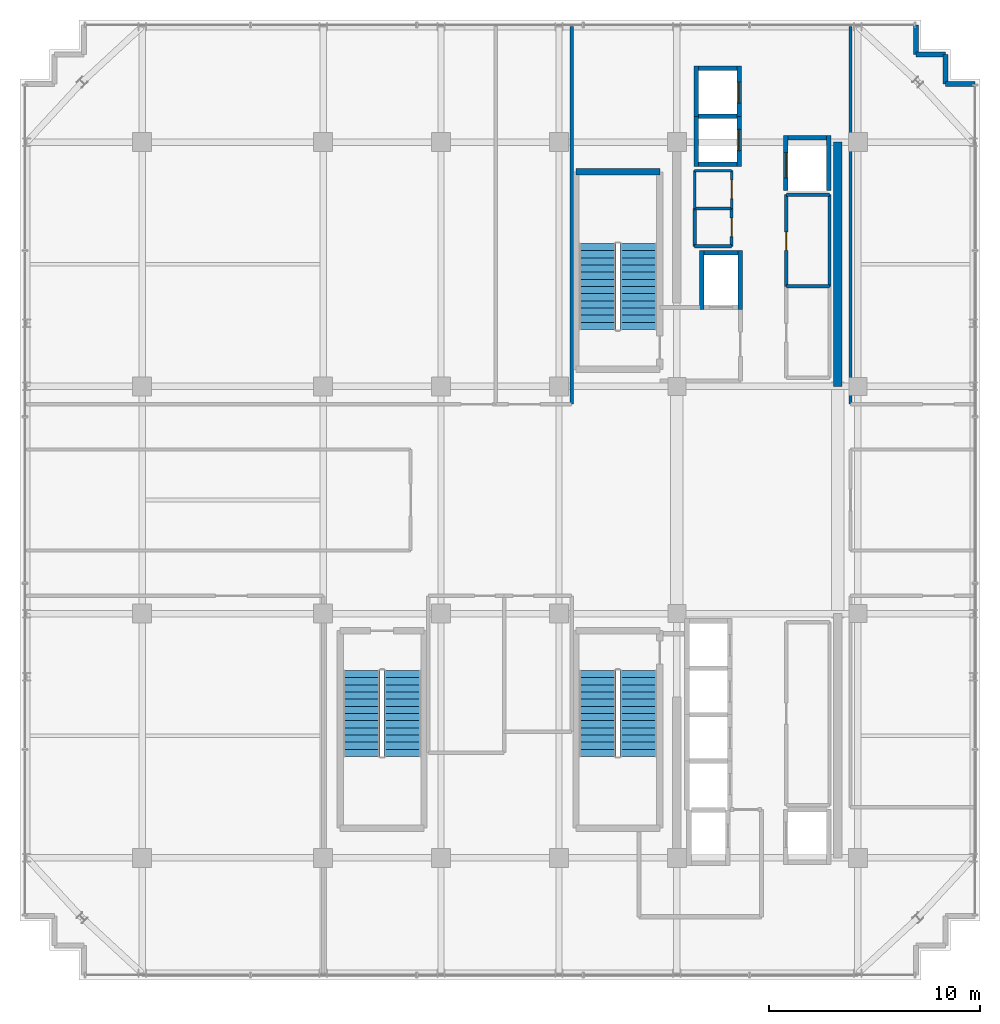
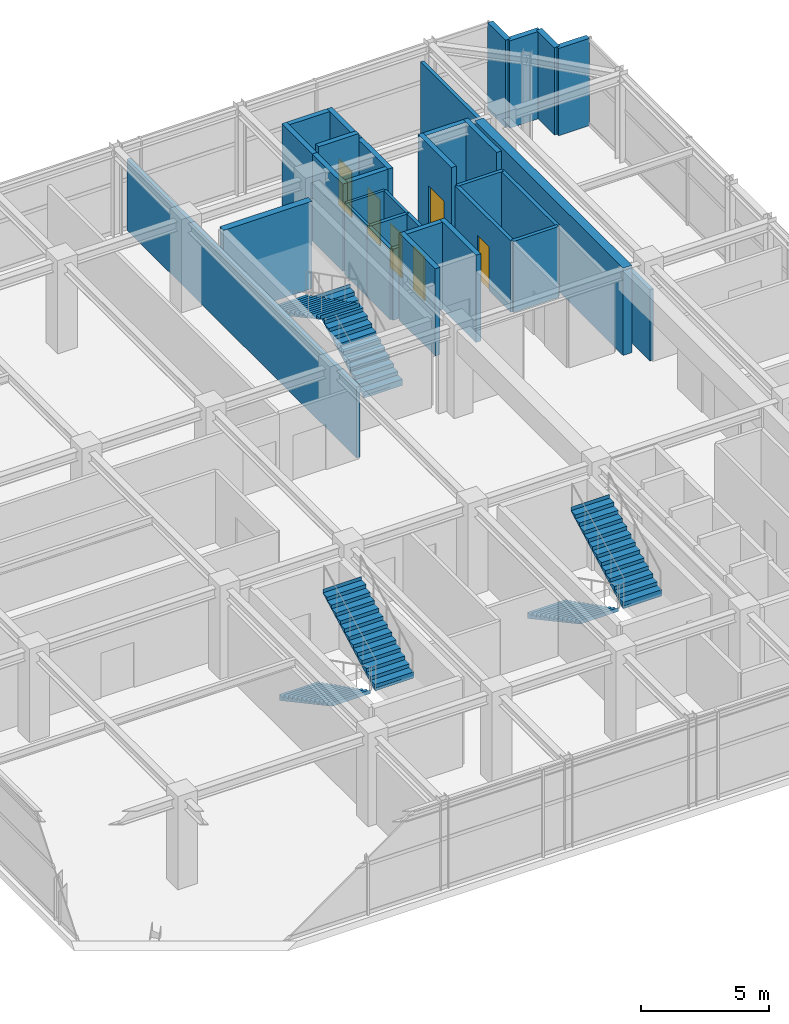
# One storey, part 19 of 20: 32 walls, 6 doors, 6 stair flights, 6 openings, 3 elements without a shape of their own.
"""IFC4 building model written with IfcOpenShell, lengths in metres."""

from ifc_helpers import new_model, si_unit, direction, frame, frame_2d, origin, place, context, subcontext, project, spatial, polyline, rectangle, outline, extrude, source, transform, mapped, material, layer, layer_set, type_object, element, fill, aggregate, save


model = new_model("IFC4")

# Units and contexts
model_context = context("Model", 3, precision=1e-05, world=origin(), true_north=direction((0.0, 1.0)))
body_context = subcontext(model_context, "Body", "Model", "MODEL_VIEW")
ifc_project = project(units=[si_unit("LENGTHUNIT", "METRE"), si_unit("AREAUNIT", "SQUARE_METRE"), si_unit("VOLUMEUNIT", "CUBIC_METRE"), si_unit("PLANEANGLEUNIT", "RADIAN"), si_unit("MASSUNIT", "GRAM", prefix="KILO")], contexts=[model_context])

# Site, building, storey
site_placement = place(None, origin())
site = spatial("IfcSite", under=ifc_project, at=site_placement, CompositionType="ELEMENT")
building_placement = place(site_placement, origin())
building = spatial("IfcBuilding", under=site, at=building_placement, Name="Nahalor Promenade Grand Hotel", CompositionType="ELEMENT")
storey_placement = place(building_placement, frame((0.0, 0.0, 347.550048828125)))
storey = spatial("IfcBuildingStorey", under=building, at=storey_placement, Name="L89", CompositionType="ELEMENT", Elevation=347.550048828125)

# Walls
ifc_material_1 = material(Name="Concrete B-50 (C40/50)", Category="concrete")
ifc_layer_1 = layer(ifc_material_1, 0.39990234375)
ifc_layer_set_1 = layer_set([ifc_layer_1], Name="Concrete B-50 (C40/50)")
wall_type_1 = type_object("IfcWallType", Name="Wall-CoreShear-400", PredefinedType="SHEAR", material=ifc_layer_set_1)
shared_shape_1 = source(origin(), body_context, "Body", "SweptSolid", [
    extrude(rectangle(XDim=11.60009765625, YDim=0.39990234375, at=frame_2d((5.800048828125, 0.0))), origin(), (0.0, 0.0, 1.0), 4.169921875),
])
wall_1_placement = place(storey_placement, frame((16.050048828125, 5.39990234375, 0.0), z_axis=(0.0, 0.0, 1.0), x_axis=(0.0, 1.0, 0.0)))
element("IfcWall", 1, at=wall_1_placement, inside=storey, type_object=wall_type_1, Name="CWALL-L89-NE", PredefinedType="SHEAR", context=body_context, shape_type="MappedRepresentation", body=[
    mapped(shared_shape_1, transform((0.0, 0.0, 0.0), scale=1.0)),
])
ifc_layer_2 = layer(ifc_material_1, 0.300048828125)
ifc_layer_set_2 = layer_set([ifc_layer_2], Name="Concrete B-50 (C40/50)")
wall_type_2 = type_object("IfcWallType", Name="Wall-ShaftShear-300", PredefinedType="SHEAR", material=ifc_layer_set_2)
shared_shape_2 = source(origin(), body_context, "Body", "SweptSolid", [
    extrude(rectangle(XDim=3.97998046875, YDim=0.300048828125, at=frame_2d((1.989990234375, 0.0))), origin(), (0.0, 0.0, 1.0), 4.169921875),
])
wall_2_placement = place(storey_placement, frame((3.610107421875, 15.590087890625, 0.0), z_axis=(0.0, 0.0, 1.0), x_axis=(1.0, 0.0, 0.0)))
element("IfcWall", 2, at=wall_2_placement, inside=storey, type_object=wall_type_2, Name="L89 Exit Stair ST1 Shaft Wall N", PredefinedType="SHEAR", context=body_context, shape_type="MappedRepresentation", body=[
    mapped(shared_shape_2, transform((0.0, 0.0, 0.0), scale=1.0)),
])
ifc_layer_3 = layer(ifc_material_1, 0.219970703125)
ifc_layer_set_3 = layer_set([ifc_layer_3], Name="Concrete B-50 (C40/50)")
wall_type_3 = type_object("IfcWallType", Name="Wall-LiftShaft-220", PredefinedType="SHEAR", material=ifc_layer_set_3)
shared_shape_3 = source(origin(), body_context, "Body", "SweptSolid", [
    extrude(rectangle(XDim=1.820068359375, YDim=0.219970703125, at=frame_2d((0.91015625, 0.0))), origin(), (0.0, 0.0, 1.0), 4.5),
])
wall_3_placement = place(storey_placement, frame((9.43994140625, 18.22509765625, 0.0), z_axis=(0.0, 0.0, 1.0), x_axis=(1.0, 0.0, 0.0)))
element("IfcWall", 3, at=wall_3_placement, inside=storey, type_object=wall_type_3, Name="L89 Lift OB1 Hoistway Wall N", PredefinedType="SHEAR", context=body_context, shape_type="MappedRepresentation", body=[
    mapped(shared_shape_3, transform((0.0, 0.0, 0.0), scale=1.0)),
])
shared_shape_4 = source(origin(), body_context, "Body", "SweptSolid", [
    extrude(rectangle(XDim=1.820068359375, YDim=0.219970703125, at=frame_2d((0.91015625, 0.0))), origin(), (0.0, 0.0, 1.0), 4.169921875),
])
for number, where, z_axis, x_axis, name in (
    (4, (9.43994140625, 15.949951171875, 0.0), (0.0, 0.0, 1.0), (1.0, 0.0, 0.0), "L89 Lift OB1 Hoistway Wall S"),
    (5, (9.43994140625, 20.5, 0.0), (0.0, 0.0, 1.0), (1.0, 0.0, 0.0), "L89 Lift OB2 Hoistway Wall N"),
    (6, (13.68994140625, 17.199951171875, 0.0), (0.0, 0.0, 1.0), (1.0, 0.0, 0.0), "L89 Lift SV1 Hoistway Wall N"),
):
    element("IfcWall", number, at=place(storey_placement, frame(where, z_axis=z_axis, x_axis=x_axis)), inside=storey, type_object=wall_type_3, Name=name, PredefinedType="SHEAR", context=body_context, shape_type="MappedRepresentation", body=[
        mapped(shared_shape_4, transform((0.0, 0.0, 0.0), scale=1.0)),
    ])
shared_shape_5 = source(origin(), body_context, "Body", "SweptSolid", [
    extrude(rectangle(XDim=2.385009765625, YDim=0.219970703125, at=frame_2d((1.1923828125, 0.0))), origin(), (0.0, 0.0, 1.0), 4.169921875),
])
wall_4_placement = place(storey_placement, frame((9.330078125, 15.840087890625, 0.0), z_axis=(0.0, 0.0, 1.0), x_axis=(0.0, 1.0, 0.0)))
element("IfcWall", 7, at=wall_4_placement, inside=storey, type_object=wall_type_3, Name="L89 Lift OB1 Hoistway Wall W", PredefinedType="SHEAR", context=body_context, shape_type="MappedRepresentation", body=[
    mapped(shared_shape_5, transform((0.0, 0.0, 0.0), scale=1.0)),
])

# Wall, opening, door
wall_5_placement = place(storey_placement, frame((11.3701171875, 15.840087890625, 0.0), z_axis=(0.0, 0.0, 1.0), x_axis=(0.0, 1.0, 0.0)))
wall_5 = element("IfcWall", 8, at=wall_5_placement, inside=storey, type_object=wall_type_3, Name="L89 Lift OB1 Hoistway Wall E", PredefinedType="SHEAR", context=body_context, shape_type="MappedRepresentation", body=[
    mapped(shared_shape_5, transform((0.0, 0.0, 0.0), scale=1.0)),
])
opening_1_placement = place(wall_5_placement, frame((0.760009765625, 0.0, 0.0)))
opening_1 = element("IfcOpeningElement", 9, at=opening_1_placement, cuts=wall_5, Name="Opening LD-01", PredefinedType="OPENING", context=body_context, shape_type="SweptSolid", body=[
    extrude(rectangle(XDim=1.0, YDim=2.199951171875, at=frame_2d((0.5, 1.10009765625))), frame((0.0, 0.119873046875, 0.0), z_axis=(0.0, -1.0, 0.0), x_axis=(1.0, 0.0, 0.0)), (0.0, 0.0, 1.0), 0.239990234375),
])
ifc_material_2 = material(Name="Steel S355JR", Category="steel")
door_type_1 = type_object("IfcDoorType", Name="Door-LiftLanding-1000", OperationType="DOUBLE_DOOR_SLIDING", PredefinedType="DOOR", material=ifc_material_2)
shared_shape_6 = source(origin(), body_context, "Body", "SweptSolid", [
    extrude(rectangle(XDim=1.0, YDim=2.199951171875, at=frame_2d((0.5, 1.10009765625))), frame((0.0, 0.02490234375, 0.0), z_axis=(0.0, -1.0, 0.0), x_axis=(1.0, 0.0, 0.0)), (0.0, 0.0, 1.0), 0.050048828125),
])
door_1_placement = place(opening_1_placement, frame((1.0, 0.0, 0.0), z_axis=(0.0, 0.0, 1.0), x_axis=(-1.0, 0.0, 0.0)))
door_1 = element("IfcDoor", 10, at=door_1_placement, inside=storey, type_object=door_type_1, Name="DR-LIFT-OB1-L89", OperationType="DOUBLE_DOOR_SLIDING", OverallHeight=2.199951171875, OverallWidth=1.0, PredefinedType="DOOR", context=body_context, shape_type="MappedRepresentation", body=[
    mapped(shared_shape_6, transform((0.0, 0.0, 0.0), scale=1.0)),
])
fill(opening_1, door_1)

# Wall
wall_6_placement = place(storey_placement, frame((9.330078125, 18.22509765625, 0.0), z_axis=(0.0, 0.0, 1.0), x_axis=(0.0, 1.0, 0.0)))
element("IfcWall", 11, at=wall_6_placement, inside=storey, type_object=wall_type_3, Name="L89 Lift OB2 Hoistway Wall W", PredefinedType="SHEAR", context=body_context, shape_type="MappedRepresentation", body=[
    mapped(shared_shape_5, transform((0.0, 0.0, 0.0), scale=1.0)),
])

# Wall, opening, door
wall_7_placement = place(storey_placement, frame((11.3701171875, 18.22509765625, 0.0), z_axis=(0.0, 0.0, 1.0), x_axis=(0.0, 1.0, 0.0)))
wall_7 = element("IfcWall", 12, at=wall_7_placement, inside=storey, type_object=wall_type_3, Name="L89 Lift OB2 Hoistway Wall E", PredefinedType="SHEAR", context=body_context, shape_type="MappedRepresentation", body=[
    mapped(shared_shape_5, transform((0.0, 0.0, 0.0), scale=1.0)),
])
opening_2_placement = place(wall_7_placement, frame((0.625, 0.0, 0.0)))
opening_2 = element("IfcOpeningElement", 13, at=opening_2_placement, cuts=wall_7, Name="Opening LD-01", PredefinedType="OPENING", context=body_context, shape_type="SweptSolid", body=[
    extrude(rectangle(XDim=1.0, YDim=2.199951171875, at=frame_2d((0.5, 1.10009765625))), frame((0.0, 0.119873046875, 0.0), z_axis=(0.0, -1.0, 0.0), x_axis=(1.0, 0.0, 0.0)), (0.0, 0.0, 1.0), 0.239990234375),
])
door_2_placement = place(opening_2_placement, frame((1.0, 0.0, 0.0), z_axis=(0.0, 0.0, 1.0), x_axis=(-1.0, 0.0, 0.0)))
door_2 = element("IfcDoor", 14, at=door_2_placement, inside=storey, type_object=door_type_1, Name="DR-LIFT-OB2-L89", OperationType="DOUBLE_DOOR_SLIDING", OverallHeight=2.199951171875, OverallWidth=1.0, PredefinedType="DOOR", context=body_context, shape_type="MappedRepresentation", body=[
    mapped(shared_shape_6, transform((0.0, 0.0, 0.0), scale=1.0)),
])
fill(opening_2, door_2)

# Walls
shared_shape_7 = source(origin(), body_context, "Body", "SweptSolid", [
    extrude(rectangle(XDim=2.820068359375, YDim=0.219970703125, at=frame_2d((1.41015625, 0.0))), origin(), (0.0, 0.0, 1.0), 4.169921875),
])
for number, where, z_axis, x_axis, name in (
    (15, (9.580078125, 9.0400390625, 0.0), (0.0, 0.0, 1.0), (0.0, 1.0, 0.0), "L89 Lift FL1 Hoistway Wall W"),
    (16, (11.419921875, 9.0400390625, 0.0), (0.0, 0.0, 1.0), (0.0, 1.0, 0.0), "L89 Lift FL1 Hoistway Wall E"),
):
    element("IfcWall", number, at=place(storey_placement, frame(where, z_axis=z_axis, x_axis=x_axis)), inside=storey, type_object=wall_type_3, Name=name, PredefinedType="SHEAR", context=body_context, shape_type="MappedRepresentation", body=[
        mapped(shared_shape_7, transform((0.0, 0.0, 0.0), scale=1.0)),
    ])
shared_shape_8 = source(origin(), body_context, "Body", "SweptSolid", [
    extrude(rectangle(XDim=1.6201171875, YDim=0.219970703125, at=frame_2d((0.81005859375, 0.0))), origin(), (0.0, 0.0, 1.0), 4.169921875),
])
wall_8_placement = place(storey_placement, frame((9.68994140625, 11.75, 0.0), z_axis=(0.0, 0.0, 1.0), x_axis=(1.0, 0.0, 0.0)))
element("IfcWall", 17, at=wall_8_placement, inside=storey, type_object=wall_type_3, Name="L89 Lift FL1 Hoistway Wall N", PredefinedType="SHEAR", context=body_context, shape_type="MappedRepresentation", body=[
    mapped(shared_shape_8, transform((0.0, 0.0, 0.0), scale=1.0)),
])

# Wall, opening, door
shared_shape_9 = source(origin(), body_context, "Body", "SweptSolid", [
    extrude(rectangle(XDim=2.610107421875, YDim=0.219970703125, at=frame_2d((1.30517578125, 0.0))), origin(), (0.0, 0.0, 1.0), 4.169921875),
])
wall_9_placement = place(storey_placement, frame((13.580078125, 14.699951171875, 0.0), z_axis=(0.0, 0.0, 1.0), x_axis=(0.0, 1.0, 0.0)))
wall_9 = element("IfcWall", 18, at=wall_9_placement, inside=storey, type_object=wall_type_3, Name="L89 Lift SV1 Hoistway Wall W", PredefinedType="SHEAR", context=body_context, shape_type="MappedRepresentation", body=[
    mapped(shared_shape_9, transform((0.0, 0.0, 0.0), scale=1.0)),
])
opening_3_placement = place(wall_9_placement, frame((0.60009765625, 0.0, 0.0)))
opening_3 = element("IfcOpeningElement", 19, at=opening_3_placement, cuts=wall_9, Name="Opening LD-03", PredefinedType="OPENING", context=body_context, shape_type="SweptSolid", body=[
    extrude(rectangle(XDim=1.199951171875, YDim=2.199951171875, at=frame_2d((0.60009765625, 1.10009765625))), frame((0.0, 0.119873046875, 0.0), z_axis=(0.0, -1.0, 0.0), x_axis=(1.0, 0.0, 0.0)), (0.0, 0.0, 1.0), 0.239990234375),
])
door_type_2 = type_object("IfcDoorType", Name="Door-LiftService-1200", OperationType="DOUBLE_DOOR_SLIDING", PredefinedType="DOOR", material=ifc_material_2)
shared_shape_10 = source(origin(), body_context, "Body", "SweptSolid", [
    extrude(rectangle(XDim=1.199951171875, YDim=2.199951171875, at=frame_2d((0.60009765625, 1.10009765625))), frame((0.0, 0.02490234375, 0.0), z_axis=(0.0, -1.0, 0.0), x_axis=(1.0, 0.0, 0.0)), (0.0, 0.0, 1.0), 0.050048828125),
])
door_3_placement = place(opening_3_placement, origin())
door_3 = element("IfcDoor", 20, at=door_3_placement, inside=storey, type_object=door_type_2, Name="DR-LIFT-SV1-L89", OperationType="DOUBLE_DOOR_SLIDING", OverallHeight=2.199951171875, OverallWidth=1.199951171875, PredefinedType="DOOR", context=body_context, shape_type="MappedRepresentation", body=[
    mapped(shared_shape_10, transform((0.0, 0.0, 0.0), scale=1.0)),
])
fill(opening_3, door_3)

# Walls
wall_10_placement = place(storey_placement, frame((15.6201171875, 14.699951171875, 0.0), z_axis=(0.0, 0.0, 1.0), x_axis=(0.0, 1.0, 0.0)))
element("IfcWall", 21, at=wall_10_placement, inside=storey, type_object=wall_type_3, Name="L89 Lift SV1 Hoistway Wall E", PredefinedType="SHEAR", context=body_context, shape_type="MappedRepresentation", body=[
    mapped(shared_shape_9, transform((0.0, 0.0, 0.0), scale=1.0)),
])
ifc_material_3 = material(Name="Concrete B-40 (C32/40)", Category="concrete")
ifc_layer_4 = layer(ifc_material_3, 0.25)
ifc_layer_set_4 = layer_set([ifc_layer_4], Name="Concrete B-40 (C32/40)")
wall_type_4 = type_object("IfcWallType", Name="Wall-BronzePier-250", PredefinedType="STANDARD", material=ifc_layer_set_4)
shared_shape_11 = source(origin(), body_context, "Body", "SweptSolid", [
    extrude(rectangle(XDim=1.400146484375, YDim=0.25, at=frame_2d((0.7001953125, 0.0))), origin(), (0.0, 0.0, 1.0), 4.169921875),
])
for number, where, z_axis, x_axis, name in (
    (22, (21.159912109375, 19.760009765625, 0.0), (0.0, 0.0, 1.0), (1.0, 0.0, 0.0), "W-L89-SR-05"),
    (23, (19.760009765625, 21.159912109375, 0.0), (0.0, 0.0, 1.0), (0.0, 1.0, 0.0), "W-L89-SR-08"),
):
    element("IfcWall", number, at=place(storey_placement, frame(where, z_axis=z_axis, x_axis=x_axis)), inside=storey, type_object=wall_type_4, Name=name, PredefinedType="STANDARD", context=body_context, shape_type="MappedRepresentation", body=[
        mapped(shared_shape_11, transform((0.0, 0.0, 0.0), scale=1.0)),
    ])
shared_shape_12 = source(origin(), body_context, "Body", "SweptSolid", [
    extrude(rectangle(XDim=1.39990234375, YDim=0.25, at=frame_2d((0.699951171875, 0.0))), origin(), (0.0, 0.0, 1.0), 4.169921875),
])
for number, where, z_axis, x_axis, name in (
    (24, (21.159912109375, 19.760009765625, 0.0), (0.0, 0.0, 1.0), (0.0, 1.0, 0.0), "W-L89-SR-06"),
    (25, (19.760009765625, 21.159912109375, 0.0), (0.0, 0.0, 1.0), (1.0, 0.0, 0.0), "W-L89-SR-07"),
):
    element("IfcWall", number, at=place(storey_placement, frame(where, z_axis=z_axis, x_axis=x_axis)), inside=storey, type_object=wall_type_4, Name=name, PredefinedType="STANDARD", context=body_context, shape_type="MappedRepresentation", body=[
        mapped(shared_shape_12, transform((0.0, 0.0, 0.0), scale=1.0)),
    ])
ifc_material_4 = material(Name="Acoustic Mineral Gypsum", Category="gypsum")
ifc_layer_5 = layer(ifc_material_4, 0.14990234375)
ifc_layer_set_5 = layer_set([ifc_layer_5], Name="Acoustic Mineral Gypsum")
wall_type_5 = type_object("IfcWallType", Name="Wall-PartService-150", PredefinedType="PARTITIONING", material=ifc_layer_set_5)
shared_shape_13 = source(origin(), body_context, "Body", "SweptSolid", [
    extrude(rectangle(XDim=1.75, YDim=0.14990234375, at=frame_2d((0.875, 0.0))), origin(), (0.0, 0.0, 1.0), 3.39990234375),
])
for number, where, z_axis, x_axis, name in (
    (26, (9.25, 12.050048828125, 0.0), (0.0, 0.0, 1.0), (1.0, 0.0, 0.0), "W-L89-CK2A-S"),
    (27, (9.25, 13.85009765625, 0.0), (0.0, 0.0, 1.0), (1.0, 0.0, 0.0), "W-L89-CK2A-N"),
):
    element("IfcWall", number, at=place(storey_placement, frame(where, z_axis=z_axis, x_axis=x_axis)), inside=storey, type_object=wall_type_5, Name=name, PredefinedType="PARTITIONING", context=body_context, shape_type="MappedRepresentation", body=[
        mapped(shared_shape_13, transform((0.0, 0.0, 0.0), scale=1.0)),
    ])
shared_shape_14 = source(origin(), body_context, "Body", "SweptSolid", [
    extrude(rectangle(XDim=1.800048828125, YDim=0.14990234375, at=frame_2d((0.89990234375, 0.0))), origin(), (0.0, 0.0, 1.0), 3.39990234375),
])
wall_11_placement = place(storey_placement, frame((9.25, 12.050048828125, 0.0), z_axis=(0.0, 0.0, 1.0), x_axis=(0.0, 1.0, 0.0)))
element("IfcWall", 28, at=wall_11_placement, inside=storey, type_object=wall_type_5, Name="W-L89-CK2A-W", PredefinedType="PARTITIONING", context=body_context, shape_type="MappedRepresentation", body=[
    mapped(shared_shape_14, transform((0.0, 0.0, 0.0), scale=1.0)),
])

# Wall, opening, door
wall_12_placement = place(storey_placement, frame((11.0, 12.050048828125, 0.0), z_axis=(0.0, 0.0, 1.0), x_axis=(0.0, 1.0, 0.0)))
wall_12 = element("IfcWall", 29, at=wall_12_placement, inside=storey, type_object=wall_type_5, Name="W-L89-CK2A-E", PredefinedType="PARTITIONING", context=body_context, shape_type="MappedRepresentation", body=[
    mapped(shared_shape_14, transform((0.0, 0.0, 0.0), scale=1.0)),
])
opening_4_placement = place(wall_12_placement, frame((0.4599609375, 0.0, 0.0)))
opening_4 = element("IfcOpeningElement", 30, at=opening_4_placement, cuts=wall_12, Name="Opening D-03", PredefinedType="OPENING", context=body_context, shape_type="SweptSolid", body=[
    extrude(rectangle(XDim=0.8798828125, YDim=2.10009765625, at=frame_2d((0.43994140625, 1.050048828125))), frame((0.0, 0.0849609375, 0.0), z_axis=(0.0, -1.0, 0.0), x_axis=(1.0, 0.0, 0.0)), (0.0, 0.0, 1.0), 0.169921875),
])
ifc_material_5 = material(Name="Fire-Rated Timber Composite", Category="wood")
door_type_3 = type_object("IfcDoorType", Name="Door-BathSwing-880", OperationType="NOTDEFINED", PredefinedType="DOOR", material=ifc_material_5)
shared_shape_15 = source(origin(), body_context, "Body", "SweptSolid", [
    extrude(rectangle(XDim=0.8798828125, YDim=2.10009765625, at=frame_2d((0.43994140625, 1.050048828125))), frame((0.0, 0.02490234375, 0.0), z_axis=(0.0, -1.0, 0.0), x_axis=(1.0, 0.0, 0.0)), (0.0, 0.0, 1.0), 0.050048828125),
])
door_4_placement = place(opening_4_placement, origin())
door_4 = element("IfcDoor", 31, at=door_4_placement, inside=storey, type_object=door_type_3, Name="DR-L89-CK2A", OperationType="SINGLE_SWING_LEFT", OverallHeight=2.10009765625, OverallWidth=0.8798828125, PredefinedType="DOOR", context=body_context, shape_type="MappedRepresentation", body=[
    mapped(shared_shape_15, transform((0.0, 0.0, 0.0), scale=1.0)),
])
fill(opening_4, door_4)

# Walls
ifc_layer_6 = layer(ifc_material_4, 0.1201171875)
ifc_layer_set_6 = layer_set([ifc_layer_6], Name="Acoustic Mineral Gypsum")
wall_type_6 = type_object("IfcWallType", Name="Wall-PartBath-120", PredefinedType="PARTITIONING", material=ifc_layer_set_6)
shared_shape_16 = source(origin(), body_context, "Body", "SweptSolid", [
    extrude(rectangle(XDim=1.75, YDim=0.1201171875, at=frame_2d((0.875, 0.0))), origin(), (0.0, 0.0, 1.0), 3.39990234375),
])
wall_13_placement = place(storey_placement, frame((9.25, 15.64990234375, 0.0), z_axis=(0.0, 0.0, 1.0), x_axis=(1.0, 0.0, 0.0)))
element("IfcWall", 32, at=wall_13_placement, inside=storey, type_object=wall_type_6, Name="W-L89-CK2B-N", PredefinedType="PARTITIONING", context=body_context, shape_type="MappedRepresentation", body=[
    mapped(shared_shape_16, transform((0.0, 0.0, 0.0), scale=1.0)),
])
shared_shape_17 = source(origin(), body_context, "Body", "SweptSolid", [
    extrude(rectangle(XDim=1.7998046875, YDim=0.1201171875, at=frame_2d((0.89990234375, 0.0))), origin(), (0.0, 0.0, 1.0), 3.39990234375),
])
wall_14_placement = place(storey_placement, frame((9.25, 13.85009765625, 0.0), z_axis=(0.0, 0.0, 1.0), x_axis=(0.0, 1.0, 0.0)))
element("IfcWall", 33, at=wall_14_placement, inside=storey, type_object=wall_type_6, Name="W-L89-CK2B-W", PredefinedType="PARTITIONING", context=body_context, shape_type="MappedRepresentation", body=[
    mapped(shared_shape_17, transform((0.0, 0.0, 0.0), scale=1.0)),
])

# Wall, opening, door
wall_15_placement = place(storey_placement, frame((11.0, 13.85009765625, 0.0), z_axis=(0.0, 0.0, 1.0), x_axis=(0.0, 1.0, 0.0)))
wall_15 = element("IfcWall", 34, at=wall_15_placement, inside=storey, type_object=wall_type_6, Name="W-L89-CK2B-E", PredefinedType="PARTITIONING", context=body_context, shape_type="MappedRepresentation", body=[
    mapped(shared_shape_17, transform((0.0, 0.0, 0.0), scale=1.0)),
])
opening_5_placement = place(wall_15_placement, frame((0.4599609375, 0.0, 0.0)))
opening_5 = element("IfcOpeningElement", 35, at=opening_5_placement, cuts=wall_15, Name="Opening D-03", PredefinedType="OPENING", context=body_context, shape_type="SweptSolid", body=[
    extrude(rectangle(XDim=0.8798828125, YDim=2.10009765625, at=frame_2d((0.43994140625, 1.050048828125))), frame((0.0, 0.070068359375, 0.0), z_axis=(0.0, -1.0, 0.0), x_axis=(1.0, 0.0, 0.0)), (0.0, 0.0, 1.0), 0.14013671875),
])
door_5_placement = place(opening_5_placement, origin())
door_5 = element("IfcDoor", 36, at=door_5_placement, inside=storey, type_object=door_type_3, Name="DR-L89-CK2B", OperationType="SINGLE_SWING_RIGHT", OverallHeight=2.10009765625, OverallWidth=0.8798828125, PredefinedType="DOOR", context=body_context, shape_type="MappedRepresentation", body=[
    mapped(shared_shape_15, transform((0.0, 0.0, 0.0), scale=1.0)),
])
fill(opening_5, door_5)

# Walls
ifc_layer_7 = layer(ifc_material_4, 0.159912109375)
ifc_layer_set_7 = layer_set([ifc_layer_7], Name="Acoustic Mineral Gypsum")
wall_type_7 = type_object("IfcWallType", Name="Wall-PartCorridor-160", PredefinedType="PARTITIONING", material=ifc_layer_set_7)
shared_shape_18 = source(origin(), body_context, "Body", "SweptSolid", [
    extrude(rectangle(XDim=2.0498046875, YDim=0.159912109375, at=frame_2d((1.02490234375, 0.0))), origin(), (0.0, 0.0, 1.0), 3.39990234375),
])
for number, where, z_axis, x_axis, name in (
    (37, (13.60009765625, 10.14990234375, 0.0), (0.0, 0.0, 1.0), (1.0, 0.0, 0.0), "W-L89-FRB1A-N"),
    (38, (13.60009765625, 14.5, 0.0), (0.0, 0.0, 1.0), (1.0, 0.0, 0.0), "W-L89-FRB1B-N"),
):
    element("IfcWall", number, at=place(storey_placement, frame(where, z_axis=z_axis, x_axis=x_axis)), inside=storey, type_object=wall_type_7, Name=name, PredefinedType="PARTITIONING", context=body_context, shape_type="MappedRepresentation", body=[
        mapped(shared_shape_18, transform((0.0, 0.0, 0.0), scale=1.0)),
    ])

# Wall, opening, door
shared_shape_19 = source(origin(), body_context, "Body", "SweptSolid", [
    extrude(rectangle(XDim=4.35009765625, YDim=0.159912109375, at=frame_2d((2.175048828125, 0.0))), origin(), (0.0, 0.0, 1.0), 3.39990234375),
])
wall_16_placement = place(storey_placement, frame((13.60009765625, 10.14990234375, 0.0), z_axis=(0.0, 0.0, 1.0), x_axis=(0.0, 1.0, 0.0)))
wall_16 = element("IfcWall", 39, at=wall_16_placement, inside=storey, type_object=wall_type_7, Name="W-L89-FRB1B-W", PredefinedType="PARTITIONING", context=body_context, shape_type="MappedRepresentation", body=[
    mapped(shared_shape_19, transform((0.0, 0.0, 0.0), scale=1.0)),
])
opening_6_placement = place(wall_16_placement, frame((1.7099609375, 0.0, 0.0)))
opening_6 = element("IfcOpeningElement", 40, at=opening_6_placement, cuts=wall_16, Name="Opening D-03", PredefinedType="OPENING", context=body_context, shape_type="SweptSolid", body=[
    extrude(rectangle(XDim=0.8798828125, YDim=2.10009765625, at=frame_2d((0.43994140625, 1.050048828125))), frame((0.0, 0.08984375, 0.0), z_axis=(0.0, -1.0, 0.0), x_axis=(1.0, 0.0, 0.0)), (0.0, 0.0, 1.0), 0.179931640625),
])
door_6_placement = place(opening_6_placement, frame((0.8798828125, 0.0, 0.0), z_axis=(0.0, 0.0, 1.0), x_axis=(-1.0, 0.0, 0.0)))
door_6 = element("IfcDoor", 41, at=door_6_placement, inside=storey, type_object=door_type_3, Name="DR-L89-FRB1B", OperationType="SINGLE_SWING_RIGHT", OverallHeight=2.10009765625, OverallWidth=0.8798828125, PredefinedType="DOOR", context=body_context, shape_type="MappedRepresentation", body=[
    mapped(shared_shape_15, transform((0.0, 0.0, 0.0), scale=1.0)),
])
fill(opening_6, door_6)

# Walls
wall_17_placement = place(storey_placement, frame((15.64990234375, 10.14990234375, 0.0), z_axis=(0.0, 0.0, 1.0), x_axis=(0.0, 1.0, 0.0)))
element("IfcWall", 42, at=wall_17_placement, inside=storey, type_object=wall_type_7, Name="W-L89-FRB1B-E", PredefinedType="PARTITIONING", context=body_context, shape_type="MappedRepresentation", body=[
    mapped(shared_shape_19, transform((0.0, 0.0, 0.0), scale=1.0)),
])
shared_shape_20 = source(origin(), body_context, "Body", "SweptSolid", [
    extrude(rectangle(XDim=17.949951171875, YDim=0.159912109375, at=frame_2d((8.97509765625, 0.0))), origin(), (0.0, 0.0, 1.0), 3.39990234375),
])
for number, where, z_axis, x_axis, name in (
    (43, (3.39990234375, 4.550048828125, 0.0), (0.0, 0.0, 1.0), (0.0, 1.0, 0.0), "W-L89-SK04-E"),
    (44, (16.64990234375, 4.550048828125, 0.0), (0.0, 0.0, 1.0), (0.0, 1.0, 0.0), "W-L89-SK06-W"),
):
    element("IfcWall", number, at=place(storey_placement, frame(where, z_axis=z_axis, x_axis=x_axis)), inside=storey, type_object=wall_type_7, Name=name, PredefinedType="PARTITIONING", context=body_context, shape_type="MappedRepresentation", body=[
        mapped(shared_shape_20, transform((0.0, 0.0, 0.0), scale=1.0)),
    ])

# Stair, stair flights
stair_type_1 = type_object("IfcStairType", Name="Stair-ST1", PredefinedType="HALF_TURN_STAIR", material=ifc_material_1)
stair_1_placement = place(storey_placement, origin())
stair_1 = element("IfcStair", 45, at=stair_1_placement, inside=storey, type_object=stair_type_1, Name="L89 ST1", PredefinedType="HALF_TURN_STAIR")
ifc_layer_8 = layer(ifc_material_1, 0.179931640625)
ifc_layer_set_8 = layer_set([ifc_layer_8], Name="Concrete B-50 (C40/50)")
stair_flight_type_1 = type_object("IfcStairFlightType", Name="Flight-ST1", PredefinedType="STRAIGHT", material=ifc_layer_set_8)
shared_shape_21 = source(origin(), body_context, "Body", "SweptSolid", [
    extrude(outline(polyline([(-0.00390625, -0.1201171875), (-0.00390625, 0.0), (0.0, 0.0), (0.0, 0.173095703125), (0.340087890625, 0.173095703125), (0.340087890625, 0.34619140625), (0.679931640625, 0.34619140625), (0.679931640625, 0.519287109375), (1.02001953125, 0.519287109375), (1.02001953125, 0.6923828125), (1.360107421875, 0.6923828125), (1.360107421875, 0.865478515625), (1.699951171875, 0.865478515625), (1.699951171875, 1.03857421875), (2.0400390625, 1.03857421875), (2.0400390625, 1.21142578125), (2.3798828125, 1.21142578125), (2.3798828125, 1.384521484375), (2.719970703125, 1.384521484375), (2.719970703125, 1.5576171875), (3.06005859375, 1.5576171875), (3.06005859375, 1.730712890625), (3.39990234375, 1.730712890625), (3.39990234375, 1.90380859375), (3.739990234375, 1.90380859375), (3.739990234375, 2.076904296875), (4.080078125, 2.076904296875), (4.080078125, 2.25), (4.083984375, 2.25), (4.083984375, 2.070068359375), (0.02001953125, -0.1201171875), (-0.00390625, -0.1201171875)])), frame((0.0, 0.875, 0.0), z_axis=(0.0, -1.0, 0.0), x_axis=(1.0, 0.0, 0.0)), (0.0, 0.0, 1.0), 1.75),
])
stair_flight_1_placement = place(storey_placement, frame((6.574951171875, 8.10009765625, 0.0), z_axis=(0.0, 0.0, 1.0), x_axis=(0.0, 1.0, 0.0)))
stair_flight_1 = element("IfcStairFlight", 46, at=stair_flight_1_placement, type_object=stair_flight_type_1, Name="ST1 flight 1", NumberOfRisers=13, NumberOfTreads=12, PredefinedType="STRAIGHT", RiserHeight=0.173076923, TreadLength=0.34, context=body_context, shape_type="MappedRepresentation", body=[
    mapped(shared_shape_21, transform((0.0, 0.0, 0.0), scale=1.0)),
])
stair_flight_2_placement = place(storey_placement, frame((4.625, 12.179931640625, 2.25), z_axis=(0.0, 0.0, 1.0), x_axis=(0.0, -1.0, 0.0)))
stair_flight_2 = element("IfcStairFlight", 47, at=stair_flight_2_placement, type_object=stair_flight_type_1, Name="ST1 flight 2", NumberOfRisers=13, NumberOfTreads=12, PredefinedType="STRAIGHT", RiserHeight=0.173076923, TreadLength=0.34, context=body_context, shape_type="MappedRepresentation", body=[
    mapped(shared_shape_21, transform((0.0, 0.0, 0.0), scale=1.0)),
])
aggregate(stair_1, [stair_flight_1, stair_flight_2])

stair_type_2 = type_object("IfcStairType", Name="Stair-ST2", PredefinedType="HALF_TURN_STAIR", material=ifc_material_1)
stair_2_placement = place(storey_placement, origin())
stair_2 = element("IfcStair", 48, at=stair_2_placement, inside=storey, type_object=stair_type_2, Name="L89 ST2", PredefinedType="HALF_TURN_STAIR")
ifc_layer_9 = layer(ifc_material_1, 0.18994140625)
ifc_layer_set_9 = layer_set([ifc_layer_9], Name="Concrete B-50 (C40/50)")
stair_flight_type_2 = type_object("IfcStairFlightType", Name="Flight-ST2", PredefinedType="STRAIGHT", material=ifc_layer_set_9)
shared_shape_22 = source(origin(), body_context, "Body", "SweptSolid", [
    extrude(outline(polyline([(-0.00390625, -0.1201171875), (-0.00390625, 0.0), (0.0, 0.0), (0.0, 0.173095703125), (0.340087890625, 0.173095703125), (0.340087890625, 0.34619140625), (0.679931640625, 0.34619140625), (0.679931640625, 0.519287109375), (1.02001953125, 0.519287109375), (1.02001953125, 0.6923828125), (1.360107421875, 0.6923828125), (1.360107421875, 0.865478515625), (1.699951171875, 0.865478515625), (1.699951171875, 1.03857421875), (2.0400390625, 1.03857421875), (2.0400390625, 1.21142578125), (2.3798828125, 1.21142578125), (2.3798828125, 1.384521484375), (2.719970703125, 1.384521484375), (2.719970703125, 1.5576171875), (3.06005859375, 1.5576171875), (3.06005859375, 1.730712890625), (3.39990234375, 1.730712890625), (3.39990234375, 1.90380859375), (3.739990234375, 1.90380859375), (3.739990234375, 2.076904296875), (4.080078125, 2.076904296875), (4.080078125, 2.25), (4.083984375, 2.25), (4.083984375, 2.070068359375), (0.02001953125, -0.1201171875), (-0.00390625, -0.1201171875)])), frame((0.0, 0.875, 0.0), z_axis=(0.0, -1.0, 0.0), x_axis=(1.0, 0.0, 0.0)), (0.0, 0.0, 1.0), 1.75),
])
stair_flight_3_placement = place(storey_placement, frame((4.625, -8.10009765625, 0.0), z_axis=(0.0, 0.0, 1.0), x_axis=(0.0, -1.0, 0.0)))
stair_flight_3 = element("IfcStairFlight", 49, at=stair_flight_3_placement, type_object=stair_flight_type_2, Name="ST2 flight 1", NumberOfRisers=13, NumberOfTreads=12, PredefinedType="STRAIGHT", RiserHeight=0.173076923, TreadLength=0.34, context=body_context, shape_type="MappedRepresentation", body=[
    mapped(shared_shape_22, transform((0.0, 0.0, 0.0), scale=1.0)),
])
stair_flight_4_placement = place(storey_placement, frame((6.574951171875, -12.179931640625, 2.25), z_axis=(0.0, 0.0, 1.0), x_axis=(0.0, 1.0, 0.0)))
stair_flight_4 = element("IfcStairFlight", 50, at=stair_flight_4_placement, type_object=stair_flight_type_2, Name="ST2 flight 2", NumberOfRisers=13, NumberOfTreads=12, PredefinedType="STRAIGHT", RiserHeight=0.173076923, TreadLength=0.34, context=body_context, shape_type="MappedRepresentation", body=[
    mapped(shared_shape_22, transform((0.0, 0.0, 0.0), scale=1.0)),
])
aggregate(stair_2, [stair_flight_3, stair_flight_4])

stair_type_3 = type_object("IfcStairType", Name="Stair-ST3", PredefinedType="HALF_TURN_STAIR", material=ifc_material_1)
stair_3_placement = place(storey_placement, origin())
stair_3 = element("IfcStair", 51, at=stair_3_placement, inside=storey, type_object=stair_type_3, Name="L89 ST3", PredefinedType="HALF_TURN_STAIR")
ifc_layer_10 = layer(ifc_material_1, 0.199951171875)
ifc_layer_set_10 = layer_set([ifc_layer_10], Name="Concrete B-50 (C40/50)")
stair_flight_type_3 = type_object("IfcStairFlightType", Name="Flight-ST3", PredefinedType="STRAIGHT", material=ifc_layer_set_10)
shared_shape_23 = source(origin(), body_context, "Body", "SweptSolid", [
    extrude(outline(polyline([(-0.00390625, -0.1201171875), (-0.00390625, 0.0), (0.0, 0.0), (0.0, 0.173095703125), (0.340087890625, 0.173095703125), (0.340087890625, 0.34619140625), (0.679931640625, 0.34619140625), (0.679931640625, 0.519287109375), (1.02001953125, 0.519287109375), (1.02001953125, 0.6923828125), (1.360107421875, 0.6923828125), (1.360107421875, 0.865478515625), (1.699951171875, 0.865478515625), (1.699951171875, 1.03857421875), (2.0400390625, 1.03857421875), (2.0400390625, 1.21142578125), (2.3798828125, 1.21142578125), (2.3798828125, 1.384521484375), (2.719970703125, 1.384521484375), (2.719970703125, 1.5576171875), (3.06005859375, 1.5576171875), (3.06005859375, 1.730712890625), (3.39990234375, 1.730712890625), (3.39990234375, 1.90380859375), (3.739990234375, 1.90380859375), (3.739990234375, 2.076904296875), (4.080078125, 2.076904296875), (4.080078125, 2.25), (4.083984375, 2.25), (4.083984375, 2.070068359375), (0.02001953125, -0.1201171875), (-0.00390625, -0.1201171875)])), frame((0.0, 0.875, 0.0), z_axis=(0.0, -1.0, 0.0), x_axis=(1.0, 0.0, 0.0)), (0.0, 0.0, 1.0), 1.75),
])
stair_flight_5_placement = place(storey_placement, frame((-6.574951171875, -8.10009765625, 0.0), z_axis=(0.0, 0.0, 1.0), x_axis=(0.0, -1.0, 0.0)))
stair_flight_5 = element("IfcStairFlight", 52, at=stair_flight_5_placement, type_object=stair_flight_type_3, Name="ST3 flight 1", NumberOfRisers=13, NumberOfTreads=12, PredefinedType="STRAIGHT", RiserHeight=0.173076923, TreadLength=0.34, context=body_context, shape_type="MappedRepresentation", body=[
    mapped(shared_shape_23, transform((0.0, 0.0, 0.0), scale=1.0)),
])
stair_flight_6_placement = place(storey_placement, frame((-4.625, -12.179931640625, 2.25), z_axis=(0.0, 0.0, 1.0), x_axis=(0.0, 1.0, 0.0)))
stair_flight_6 = element("IfcStairFlight", 53, at=stair_flight_6_placement, type_object=stair_flight_type_3, Name="ST3 flight 2", NumberOfRisers=13, NumberOfTreads=12, PredefinedType="STRAIGHT", RiserHeight=0.173076923, TreadLength=0.34, context=body_context, shape_type="MappedRepresentation", body=[
    mapped(shared_shape_23, transform((0.0, 0.0, 0.0), scale=1.0)),
])
aggregate(stair_3, [stair_flight_5, stair_flight_6])

save(model, "model.ifc")
